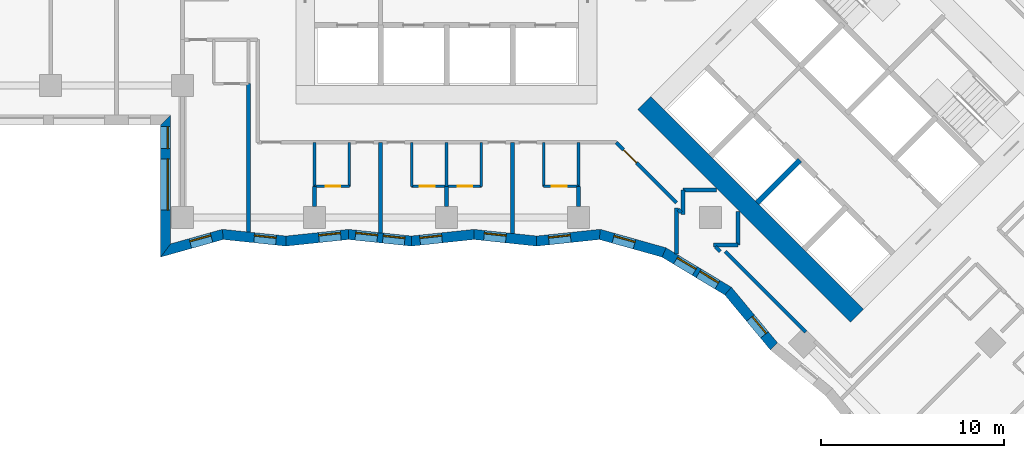
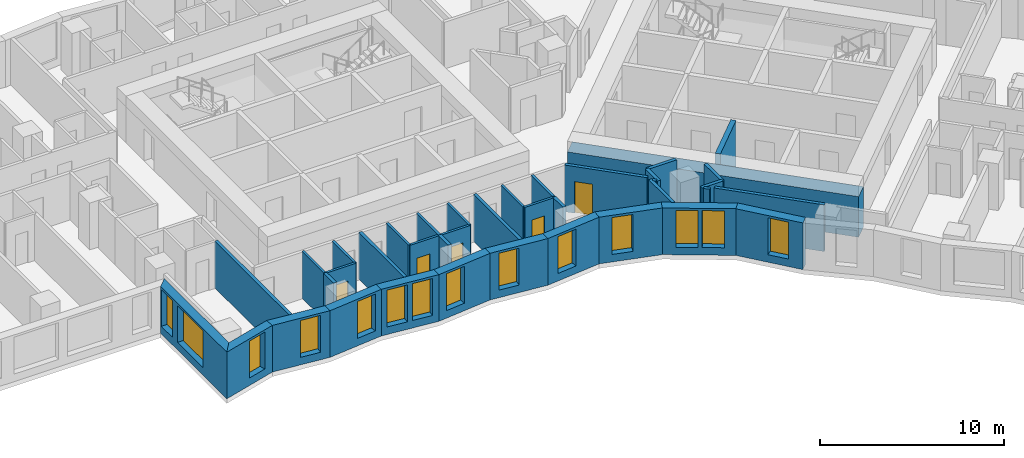
# One storey, part 2 of 13: 38 walls, 14 windows, 5 doors, 19 openings.
"""IFC4 building model written with IfcOpenShell, lengths in metres."""

from ifc_helpers import new_model, si_unit, direction, frame, frame_2d, origin, place, context, subcontext, project, spatial, polyline, rectangle, outline, extrude, material, layer, layer_set, type_object, element, fill, save


model = new_model("IFC4")

# Units and contexts
model_context = context("Model", 3, precision=1e-05, world=origin(), true_north=direction((0.0, 1.0)))
body_context = subcontext(model_context, "Body", "Model", "MODEL_VIEW")
ifc_project = project(units=[si_unit("LENGTHUNIT", "METRE"), si_unit("AREAUNIT", "SQUARE_METRE"), si_unit("VOLUMEUNIT", "CUBIC_METRE"), si_unit("PLANEANGLEUNIT", "RADIAN"), si_unit("MASSUNIT", "GRAM", prefix="KILO")], contexts=[model_context])

# Site, building, storey
site_placement = place(None, origin())
site = spatial("IfcSite", under=ifc_project, at=site_placement, CompositionType="ELEMENT")
building_placement = place(site_placement, origin())
building = spatial("IfcBuilding", under=site, at=building_placement, Name="Windrow Commons", CompositionType="ELEMENT")
storey_placement = place(building_placement, frame((0.0, 0.0, 33.8)))
storey = spatial("IfcBuildingStorey", under=building, at=storey_placement, Name="L08", CompositionType="ELEMENT", Elevation=33.8)

# Wall, openings, windows
ifc_material_1 = material(Name="Brick masonry, red clay brick", Category="masonry")
ifc_layer_1 = layer(ifc_material_1, 0.55)
ifc_layer_set_1 = layer_set([ifc_layer_1], Name="Brick facade wall 550")
wall_type_1 = type_object("IfcWallType", Name="Brick facade wall 550", PredefinedType="SOLIDWALL", material=ifc_layer_set_1)
wall_1_placement = place(storey_placement, frame((49.475, 48.514, 0.0), z_axis=(0.0, 0.0, 1.0), x_axis=(0.0, -1.0, 0.0)))
wall_1 = element("IfcWall", 1, at=wall_1_placement, inside=storey, type_object=wall_type_1, Name="Brick facade wall L08 45", PredefinedType="SOLIDWALL", context=body_context, shape_type="SweptSolid", body=[
    extrude(outline(polyline([(0.275, -0.275), (7.475, -0.275), (6.7491, 0.275), (-0.275, 0.275), (0.275, -0.275)])), origin(), (0.0, 0.0, 1.0), 3.1),
])
opening_1_placement = place(wall_1_placement, frame((2.114, 0.0, 0.5)))
opening_1 = element("IfcOpeningElement", 2, at=opening_1_placement, cuts=wall_1, Name="Opening W1T", PredefinedType="OPENING", context=body_context, shape_type="SweptSolid", body=[
    extrude(rectangle(XDim=2.8, YDim=2.45, at=frame_2d((1.4, 1.225))), frame((0.0, 0.285, 0.0), z_axis=(0.0, -1.0, 0.0), x_axis=(1.0, 0.0, 0.0)), (0.0, 0.0, 1.0), 0.57),
])
opening_2_placement = place(wall_1_placement, frame((0.357, 0.0, 0.5)))
opening_2 = element("IfcOpeningElement", 3, at=opening_2_placement, cuts=wall_1, Name="Opening W7D", PredefinedType="OPENING", context=body_context, shape_type="SweptSolid", body=[
    extrude(rectangle(XDim=1.2, YDim=2.45, at=frame_2d((0.6, 1.225))), frame((0.0, 0.285, 0.0), z_axis=(0.0, -1.0, 0.0), x_axis=(1.0, 0.0, 0.0)), (0.0, 0.0, 1.0), 0.57),
])
ifc_material_2 = material(Name="Clear float glass in anodised aluminium frame", Category="aluminium")
window_type_1 = type_object("IfcWindowType", Name="Window W1T bedroom 2800x2450", PartitioningType="SINGLE_PANEL", PredefinedType="WINDOW", material=ifc_material_2)
window_1_placement = place(opening_1_placement, origin())
window_1 = element("IfcWindow", 4, at=window_1_placement, inside=storey, type_object=window_type_1, Name="Window L08 45.1", OverallHeight=2.45, OverallWidth=2.8, PartitioningType="SINGLE_PANEL", PredefinedType="WINDOW", context=body_context, shape_type="SweptSolid", body=[
    extrude(rectangle(XDim=2.8, YDim=2.45, at=frame_2d((1.4, 1.225))), frame((0.0, 0.155, 0.0), z_axis=(0.0, -1.0, 0.0), x_axis=(1.0, 0.0, 0.0)), (0.0, 0.0, 1.0), 0.06),
])
fill(opening_1, window_1)
ifc_material_3 = material(Name="Clear float glass in anodised aluminium frame", Category="aluminium")
window_type_2 = type_object("IfcWindowType", Name="Window W7 notch 1200x2450", PartitioningType="SINGLE_PANEL", PredefinedType="WINDOW", material=ifc_material_3)
window_2_placement = place(opening_2_placement, origin())
window_2 = element("IfcWindow", 5, at=window_2_placement, inside=storey, type_object=window_type_2, Name="Window L08 45.2", OverallHeight=2.45, OverallWidth=1.2, PartitioningType="SINGLE_PANEL", PredefinedType="WINDOW", context=body_context, shape_type="SweptSolid", body=[
    extrude(rectangle(XDim=1.2, YDim=2.45, at=frame_2d((0.6, 1.225))), frame((0.0, 0.155, 0.0), z_axis=(0.0, -1.0, 0.0), x_axis=(1.0, 0.0, 0.0)), (0.0, 0.0, 1.0), 0.06),
])
fill(opening_2, window_2)

# Wall, opening, window
wall_2_placement = place(storey_placement, frame((49.475, 41.4019, 0.0), z_axis=(0.0, 0.0, 1.0), x_axis=(0.9627079474, 0.2705428024, 0.0)))
wall_2 = element("IfcWall", 6, at=wall_2_placement, inside=storey, type_object=wall_type_1, Name="Brick facade wall L08 46", PredefinedType="SOLIDWALL", context=body_context, shape_type="SweptSolid", body=[
    extrude(outline(polyline([(-0.3629, -0.275), (3.1893, -0.275), (3.2948, 0.275), (0.3629, 0.275), (-0.3629, -0.275)])), origin(), (0.0, 0.0, 1.0), 3.1),
])
opening_3_placement = place(wall_2_placement, frame((1.4014, 0.0, 0.5)))
opening_3 = element("IfcOpeningElement", 7, at=opening_3_placement, cuts=wall_2, Name="Opening W7D", PredefinedType="OPENING", context=body_context, shape_type="SweptSolid", body=[
    extrude(rectangle(XDim=1.2, YDim=2.45, at=frame_2d((0.6, 1.225))), frame((0.0, 0.285, 0.0), z_axis=(0.0, -1.0, 0.0), x_axis=(1.0, 0.0, 0.0)), (0.0, 0.0, 1.0), 0.57),
])
window_3_placement = place(opening_3_placement, origin())
window_3 = element("IfcWindow", 8, at=window_3_placement, inside=storey, type_object=window_type_2, Name="Window L08 46.1", OverallHeight=2.45, OverallWidth=1.2, PartitioningType="SINGLE_PANEL", PredefinedType="WINDOW", context=body_context, shape_type="SweptSolid", body=[
    extrude(rectangle(XDim=1.2, YDim=2.45, at=frame_2d((0.6, 1.225))), frame((0.0, 0.155, 0.0), z_axis=(0.0, -1.0, 0.0), x_axis=(1.0, 0.0, 0.0)), (0.0, 0.0, 1.0), 0.06),
])
fill(opening_3, window_3)

wall_3_placement = place(storey_placement, frame((52.5961, 42.279, 0.0), z_axis=(0.0, 0.0, 1.0), x_axis=(0.9944742336, -0.1049809444, 0.0)))
wall_3 = element("IfcWall", 9, at=wall_3_placement, inside=storey, type_object=wall_type_1, Name="Brick facade wall L08 47", PredefinedType="SOLIDWALL", context=body_context, shape_type="SweptSolid", body=[
    extrude(outline(polyline([(0.0528, -0.275), (3.4915, -0.275), (3.4334, 0.275), (-0.0528, 0.275), (0.0528, -0.275)])), origin(), (0.0, 0.0, 1.0), 3.1),
])
opening_4_placement = place(wall_3_placement, frame((1.7226, 0.0, 0.5)))
opening_4 = element("IfcOpeningElement", 10, at=opening_4_placement, cuts=wall_3, Name="Opening W7D", PredefinedType="OPENING", context=body_context, shape_type="SweptSolid", body=[
    extrude(rectangle(XDim=1.2, YDim=2.45, at=frame_2d((0.6, 1.225))), frame((0.0, 0.285, 0.0), z_axis=(0.0, -1.0, 0.0), x_axis=(1.0, 0.0, 0.0)), (0.0, 0.0, 1.0), 0.57),
])
window_4_placement = place(opening_4_placement, origin())
window_4 = element("IfcWindow", 11, at=window_4_placement, inside=storey, type_object=window_type_2, Name="Window L08 47.1", OverallHeight=2.45, OverallWidth=1.2, PartitioningType="SINGLE_PANEL", PredefinedType="WINDOW", context=body_context, shape_type="SweptSolid", body=[
    extrude(rectangle(XDim=1.2, YDim=2.45, at=frame_2d((0.6, 1.225))), frame((0.0, 0.155, 0.0), z_axis=(0.0, -1.0, 0.0), x_axis=(1.0, 0.0, 0.0)), (0.0, 0.0, 1.0), 0.06),
])
fill(opening_4, window_4)

wall_4_placement = place(storey_placement, frame((56.0395, 41.9155, 0.0), z_axis=(0.0, 0.0, 1.0), x_axis=(0.9944741767, 0.1049814831, 0.0)))
wall_4 = element("IfcWall", 12, at=wall_4_placement, inside=storey, type_object=wall_type_1, Name="Brick facade wall L08 48", PredefinedType="SOLIDWALL", context=body_context, shape_type="SweptSolid", body=[
    extrude(outline(polyline([(-0.029, -0.275), (3.4097, -0.275), (3.4678, 0.275), (0.029, 0.275), (-0.029, -0.275)])), origin(), (0.0, 0.0, 1.0), 3.1),
])
opening_5_placement = place(wall_4_placement, frame((1.804, 0.0, 0.5)))
opening_5 = element("IfcOpeningElement", 13, at=opening_5_placement, cuts=wall_4, Name="Opening W7D", PredefinedType="OPENING", context=body_context, shape_type="SweptSolid", body=[
    extrude(rectangle(XDim=1.2, YDim=2.45, at=frame_2d((0.6, 1.225))), frame((0.0, 0.285, 0.0), z_axis=(0.0, -1.0, 0.0), x_axis=(1.0, 0.0, 0.0)), (0.0, 0.0, 1.0), 0.57),
])
window_5_placement = place(opening_5_placement, origin())
window_5 = element("IfcWindow", 14, at=window_5_placement, inside=storey, type_object=window_type_2, Name="Window L08 48.1", OverallHeight=2.45, OverallWidth=1.2, PartitioningType="SINGLE_PANEL", PredefinedType="WINDOW", context=body_context, shape_type="SweptSolid", body=[
    extrude(rectangle(XDim=1.2, YDim=2.45, at=frame_2d((0.6, 1.225))), frame((0.0, 0.155, 0.0), z_axis=(0.0, -1.0, 0.0), x_axis=(1.0, 0.0, 0.0)), (0.0, 0.0, 1.0), 0.06),
])
fill(opening_5, window_5)

# Wall, openings, windows
wall_5_placement = place(storey_placement, frame((59.4592, 42.2765, 0.0), z_axis=(0.0, 0.0, 1.0), x_axis=(0.9944741767, -0.1049814831, 0.0)))
wall_5 = element("IfcWall", 15, at=wall_5_placement, inside=storey, type_object=wall_type_1, Name="Brick facade wall L08 49", PredefinedType="SOLIDWALL", context=body_context, shape_type="SweptSolid", body=[
    extrude(outline(polyline([(0.029, -0.275), (3.4678, -0.275), (3.4097, 0.275), (-0.029, 0.275), (0.029, -0.275)])), origin(), (0.0, 0.0, 1.0), 3.1),
])
opening_6_placement = place(wall_5_placement, frame((0.3752, 0.0, 0.5)))
opening_6 = element("IfcOpeningElement", 16, at=opening_6_placement, cuts=wall_5, Name="Opening W7D", PredefinedType="OPENING", context=body_context, shape_type="SweptSolid", body=[
    extrude(rectangle(XDim=1.2, YDim=2.45, at=frame_2d((0.6, 1.225))), frame((0.0, 0.285, 0.0), z_axis=(0.0, -1.0, 0.0), x_axis=(1.0, 0.0, 0.0)), (0.0, 0.0, 1.0), 0.57),
])
opening_7_placement = place(wall_5_placement, frame((1.8801, 0.0, 0.5)))
opening_7 = element("IfcOpeningElement", 17, at=opening_7_placement, cuts=wall_5, Name="Opening W7D", PredefinedType="OPENING", context=body_context, shape_type="SweptSolid", body=[
    extrude(rectangle(XDim=1.2, YDim=2.45, at=frame_2d((0.6, 1.225))), frame((0.0, 0.285, 0.0), z_axis=(0.0, -1.0, 0.0), x_axis=(1.0, 0.0, 0.0)), (0.0, 0.0, 1.0), 0.57),
])
window_6_placement = place(opening_6_placement, origin())
window_6 = element("IfcWindow", 18, at=window_6_placement, inside=storey, type_object=window_type_2, Name="Window L08 49.1", OverallHeight=2.45, OverallWidth=1.2, PartitioningType="SINGLE_PANEL", PredefinedType="WINDOW", context=body_context, shape_type="SweptSolid", body=[
    extrude(rectangle(XDim=1.2, YDim=2.45, at=frame_2d((0.6, 1.225))), frame((0.0, 0.155, 0.0), z_axis=(0.0, -1.0, 0.0), x_axis=(1.0, 0.0, 0.0)), (0.0, 0.0, 1.0), 0.06),
])
fill(opening_6, window_6)
window_7_placement = place(opening_7_placement, origin())
window_7 = element("IfcWindow", 19, at=window_7_placement, inside=storey, type_object=window_type_2, Name="Window L08 49.2", OverallHeight=2.45, OverallWidth=1.2, PartitioningType="SINGLE_PANEL", PredefinedType="WINDOW", context=body_context, shape_type="SweptSolid", body=[
    extrude(rectangle(XDim=1.2, YDim=2.45, at=frame_2d((0.6, 1.225))), frame((0.0, 0.155, 0.0), z_axis=(0.0, -1.0, 0.0), x_axis=(1.0, 0.0, 0.0)), (0.0, 0.0, 1.0), 0.06),
])
fill(opening_7, window_7)

# Wall, opening, window
wall_6_placement = place(storey_placement, frame((62.8789, 41.9155, 0.0), z_axis=(0.0, 0.0, 1.0), x_axis=(0.9944744972, 0.1049784471, 0.0)))
wall_6 = element("IfcWall", 20, at=wall_6_placement, inside=storey, type_object=wall_type_1, Name="Brick facade wall L08 50", PredefinedType="SOLIDWALL", context=body_context, shape_type="SweptSolid", body=[
    extrude(outline(polyline([(-0.029, -0.275), (3.4097, -0.275), (3.4678, 0.275), (0.029, 0.275), (-0.029, -0.275)])), origin(), (0.0, 0.0, 1.0), 3.1),
])
opening_8_placement = place(wall_6_placement, frame((0.4804, 0.0, 0.5)))
opening_8 = element("IfcOpeningElement", 21, at=opening_8_placement, cuts=wall_6, Name="Opening W7D", PredefinedType="OPENING", context=body_context, shape_type="SweptSolid", body=[
    extrude(rectangle(XDim=1.2, YDim=2.45, at=frame_2d((0.6, 1.225))), frame((0.0, 0.285, 0.0), z_axis=(0.0, -1.0, 0.0), x_axis=(1.0, 0.0, 0.0)), (0.0, 0.0, 1.0), 0.57),
])
window_8_placement = place(opening_8_placement, origin())
window_8 = element("IfcWindow", 22, at=window_8_placement, inside=storey, type_object=window_type_2, Name="Window L08 50.1", OverallHeight=2.45, OverallWidth=1.2, PartitioningType="SINGLE_PANEL", PredefinedType="WINDOW", context=body_context, shape_type="SweptSolid", body=[
    extrude(rectangle(XDim=1.2, YDim=2.45, at=frame_2d((0.6, 1.225))), frame((0.0, 0.155, 0.0), z_axis=(0.0, -1.0, 0.0), x_axis=(1.0, 0.0, 0.0)), (0.0, 0.0, 1.0), 0.06),
])
fill(opening_8, window_8)

wall_7_placement = place(storey_placement, frame((66.2987, 42.2765, 0.0), z_axis=(0.0, 0.0, 1.0), x_axis=(0.9944741767, -0.1049814831, 0.0)))
wall_7 = element("IfcWall", 23, at=wall_7_placement, inside=storey, type_object=wall_type_1, Name="Brick facade wall L08 51", PredefinedType="SOLIDWALL", context=body_context, shape_type="SweptSolid", body=[
    extrude(outline(polyline([(0.029, -0.275), (3.4678, -0.275), (3.4097, 0.275), (-0.029, 0.275), (0.029, -0.275)])), origin(), (0.0, 0.0, 1.0), 3.1),
])
opening_9_placement = place(wall_7_placement, frame((0.5565, 0.0, 0.5)))
opening_9 = element("IfcOpeningElement", 24, at=opening_9_placement, cuts=wall_7, Name="Opening W7D", PredefinedType="OPENING", context=body_context, shape_type="SweptSolid", body=[
    extrude(rectangle(XDim=1.2, YDim=2.45, at=frame_2d((0.6, 1.225))), frame((0.0, 0.285, 0.0), z_axis=(0.0, -1.0, 0.0), x_axis=(1.0, 0.0, 0.0)), (0.0, 0.0, 1.0), 0.57),
])
window_9_placement = place(opening_9_placement, origin())
window_9 = element("IfcWindow", 25, at=window_9_placement, inside=storey, type_object=window_type_2, Name="Window L08 51.1", OverallHeight=2.45, OverallWidth=1.2, PartitioningType="SINGLE_PANEL", PredefinedType="WINDOW", context=body_context, shape_type="SweptSolid", body=[
    extrude(rectangle(XDim=1.2, YDim=2.45, at=frame_2d((0.6, 1.225))), frame((0.0, 0.155, 0.0), z_axis=(0.0, -1.0, 0.0), x_axis=(1.0, 0.0, 0.0)), (0.0, 0.0, 1.0), 0.06),
])
fill(opening_9, window_9)

wall_8_placement = place(storey_placement, frame((69.7184, 41.9155, 0.0), z_axis=(0.0, 0.0, 1.0), x_axis=(0.9944739153, 0.1049839596, 0.0)))
wall_8 = element("IfcWall", 26, at=wall_8_placement, inside=storey, type_object=wall_type_1, Name="Brick facade wall L08 52", PredefinedType="SOLIDWALL", context=body_context, shape_type="SweptSolid", body=[
    extrude(outline(polyline([(-0.029, -0.275), (3.4097, -0.275), (3.5152, 0.275), (0.029, 0.275), (-0.029, -0.275)])), origin(), (0.0, 0.0, 1.0), 3.1),
])
opening_10_placement = place(wall_8_placement, frame((0.6617, 0.0, 0.5)))
opening_10 = element("IfcOpeningElement", 27, at=opening_10_placement, cuts=wall_8, Name="Opening W7D", PredefinedType="OPENING", context=body_context, shape_type="SweptSolid", body=[
    extrude(rectangle(XDim=1.2, YDim=2.45, at=frame_2d((0.6, 1.225))), frame((0.0, 0.285, 0.0), z_axis=(0.0, -1.0, 0.0), x_axis=(1.0, 0.0, 0.0)), (0.0, 0.0, 1.0), 0.57),
])
window_10_placement = place(opening_10_placement, origin())
window_10 = element("IfcWindow", 28, at=window_10_placement, inside=storey, type_object=window_type_2, Name="Window L08 52.1", OverallHeight=2.45, OverallWidth=1.2, PartitioningType="SINGLE_PANEL", PredefinedType="WINDOW", context=body_context, shape_type="SweptSolid", body=[
    extrude(rectangle(XDim=1.2, YDim=2.45, at=frame_2d((0.6, 1.225))), frame((0.0, 0.155, 0.0), z_axis=(0.0, -1.0, 0.0), x_axis=(1.0, 0.0, 0.0)), (0.0, 0.0, 1.0), 0.06),
])
fill(opening_10, window_10)

wall_9_placement = place(storey_placement, frame((73.1617, 42.279, 0.0), z_axis=(0.0, 0.0, 1.0), x_axis=(0.9627115194, -0.2705300916, 0.0)))
wall_9 = element("IfcWall", 29, at=wall_9_placement, inside=storey, type_object=wall_type_1, Name="Brick facade wall L08 53", PredefinedType="SOLIDWALL", context=body_context, shape_type="SweptSolid", body=[
    extrude(outline(polyline([(0.0528, -0.275), (3.605, -0.275), (3.6792, 0.275), (-0.0528, 0.275), (0.0528, -0.275)])), origin(), (0.0, 0.0, 1.0), 3.1),
])
opening_11_placement = place(wall_9_placement, frame((0.7664, 0.0, 0.5)))
opening_11 = element("IfcOpeningElement", 30, at=opening_11_placement, cuts=wall_9, Name="Opening W7D", PredefinedType="OPENING", context=body_context, shape_type="SweptSolid", body=[
    extrude(rectangle(XDim=1.2, YDim=2.45, at=frame_2d((0.6, 1.225))), frame((0.0, 0.285, 0.0), z_axis=(0.0, -1.0, 0.0), x_axis=(1.0, 0.0, 0.0)), (0.0, 0.0, 1.0), 0.57),
])
window_11_placement = place(opening_11_placement, origin())
window_11 = element("IfcWindow", 31, at=window_11_placement, inside=storey, type_object=window_type_2, Name="Window L08 53.1", OverallHeight=2.45, OverallWidth=1.2, PartitioningType="SINGLE_PANEL", PredefinedType="WINDOW", context=body_context, shape_type="SweptSolid", body=[
    extrude(rectangle(XDim=1.2, YDim=2.45, at=frame_2d((0.6, 1.225))), frame((0.0, 0.155, 0.0), z_axis=(0.0, -1.0, 0.0), x_axis=(1.0, 0.0, 0.0)), (0.0, 0.0, 1.0), 0.06),
])
fill(opening_11, window_11)

# Wall, openings, windows
wall_10_placement = place(storey_placement, frame((76.668, 41.2937, 0.0), z_axis=(0.0, 0.0, 1.0), x_axis=(0.8564375758, -0.5162505968, 0.0)))
wall_10 = element("IfcWall", 32, at=wall_10_placement, inside=storey, type_object=wall_type_1, Name="Brick facade wall L08 54", PredefinedType="SOLIDWALL", context=body_context, shape_type="SweptSolid", body=[
    extrude(outline(polyline([(0.0371, -0.275), (4.032, -0.275), (4.1252, 0.275), (-0.0371, 0.275), (0.0371, -0.275)])), origin(), (0.0, 0.0, 1.0), 3.1),
])
opening_12_placement = place(wall_10_placement, frame((0.7643, 0.0, 0.5)))
opening_12 = element("IfcOpeningElement", 33, at=opening_12_placement, cuts=wall_10, Name="Opening W7D", PredefinedType="OPENING", context=body_context, shape_type="SweptSolid", body=[
    extrude(rectangle(XDim=1.2, YDim=2.45, at=frame_2d((0.6, 1.225))), frame((0.0, 0.285, 0.0), z_axis=(0.0, -1.0, 0.0), x_axis=(1.0, 0.0, 0.0)), (0.0, 0.0, 1.0), 0.57),
])
opening_13_placement = place(wall_10_placement, frame((2.2036, 0.0, 0.5)))
opening_13 = element("IfcOpeningElement", 34, at=opening_13_placement, cuts=wall_10, Name="Opening W7D", PredefinedType="OPENING", context=body_context, shape_type="SweptSolid", body=[
    extrude(rectangle(XDim=1.2, YDim=2.45, at=frame_2d((0.6, 1.225))), frame((0.0, 0.285, 0.0), z_axis=(0.0, -1.0, 0.0), x_axis=(1.0, 0.0, 0.0)), (0.0, 0.0, 1.0), 0.57),
])
window_12_placement = place(opening_12_placement, origin())
window_12 = element("IfcWindow", 35, at=window_12_placement, inside=storey, type_object=window_type_2, Name="Window L08 54.1", OverallHeight=2.45, OverallWidth=1.2, PartitioningType="SINGLE_PANEL", PredefinedType="WINDOW", context=body_context, shape_type="SweptSolid", body=[
    extrude(rectangle(XDim=1.2, YDim=2.45, at=frame_2d((0.6, 1.225))), frame((0.0, 0.155, 0.0), z_axis=(0.0, -1.0, 0.0), x_axis=(1.0, 0.0, 0.0)), (0.0, 0.0, 1.0), 0.06),
])
fill(opening_12, window_12)
window_13_placement = place(opening_13_placement, origin())
window_13 = element("IfcWindow", 36, at=window_13_placement, inside=storey, type_object=window_type_2, Name="Window L08 54.2", OverallHeight=2.45, OverallWidth=1.2, PartitioningType="SINGLE_PANEL", PredefinedType="WINDOW", context=body_context, shape_type="SweptSolid", body=[
    extrude(rectangle(XDim=1.2, YDim=2.45, at=frame_2d((0.6, 1.225))), frame((0.0, 0.155, 0.0), z_axis=(0.0, -1.0, 0.0), x_axis=(1.0, 0.0, 0.0)), (0.0, 0.0, 1.0), 0.06),
])
fill(opening_13, window_13)

# Wall, opening, window
wall_11_placement = place(storey_placement, frame((80.1611, 39.1881, 0.0), z_axis=(0.0, 0.0, 1.0), x_axis=(0.6385248375, -0.7696012161, 0.0)))
wall_11 = element("IfcWall", 37, at=wall_11_placement, inside=storey, type_object=wall_type_1, Name="Brick facade wall L08 55", PredefinedType="SOLIDWALL", context=body_context, shape_type="SweptSolid", body=[
    extrude(outline(polyline([(0.0466, -0.275), (3.9409, -0.275), (3.8897, 0.275), (-0.0466, 0.275), (0.0466, -0.275)])), origin(), (0.0, 0.0, 1.0), 3.1),
])
opening_14_placement = place(wall_11_placement, frame((1.9072, 0.0, 0.5)))
opening_14 = element("IfcOpeningElement", 38, at=opening_14_placement, cuts=wall_11, Name="Opening W7D", PredefinedType="OPENING", context=body_context, shape_type="SweptSolid", body=[
    extrude(rectangle(XDim=1.2, YDim=2.45, at=frame_2d((0.6, 1.225))), frame((0.0, 0.285, 0.0), z_axis=(0.0, -1.0, 0.0), x_axis=(1.0, 0.0, 0.0)), (0.0, 0.0, 1.0), 0.57),
])
window_14_placement = place(opening_14_placement, origin())
window_14 = element("IfcWindow", 39, at=window_14_placement, inside=storey, type_object=window_type_2, Name="Window L08 55.1", OverallHeight=2.45, OverallWidth=1.2, PartitioningType="SINGLE_PANEL", PredefinedType="WINDOW", context=body_context, shape_type="SweptSolid", body=[
    extrude(rectangle(XDim=1.2, YDim=2.45, at=frame_2d((0.6, 1.225))), frame((0.0, 0.155, 0.0), z_axis=(0.0, -1.0, 0.0), x_axis=(1.0, 0.0, 0.0)), (0.0, 0.0, 1.0), 0.06),
])
fill(opening_14, window_14)

# Wall
ifc_material_4 = material(Name="Blockwork partition", Category="masonry")
ifc_layer_2 = layer(ifc_material_4, 0.2)
ifc_layer_set_2 = layer_set([ifc_layer_2], Name="IW-CORRIDOR-200")
wall_type_2 = type_object("IfcWallType", Name="IW-CORRIDOR-200", PredefinedType="PARTITIONING", material=ifc_layer_set_2)
wall_12_placement = place(storey_placement, frame((80.0068, 41.3468, 0.0), z_axis=(0.0, 0.0, 1.0), x_axis=(0.7071067812, -0.7071067812, 0.0)))
element("IfcWall", 40, at=wall_12_placement, inside=storey, type_object=wall_type_2, Name="W-L08-W027", PredefinedType="PARTITIONING", context=body_context, shape_type="SweptSolid", body=[
    extrude(rectangle(XDim=6.2056, YDim=0.2, at=frame_2d((3.1028, 0.0))), origin(), (0.0, 0.0, 1.0), 3.1),
])

# Wall, opening, door
wall_13_placement = place(storey_placement, frame((74.0568, 47.2968, 0.0), z_axis=(0.0, 0.0, 1.0), x_axis=(0.7071067812, -0.7071067812, 0.0)))
wall_13 = element("IfcWall", 41, at=wall_13_placement, inside=storey, type_object=wall_type_2, Name="W-L08-W055", PredefinedType="PARTITIONING", context=body_context, shape_type="SweptSolid", body=[
    extrude(rectangle(XDim=4.6528, YDim=0.2, at=frame_2d((2.3264, 0.0))), origin(), (0.0, 0.0, 1.0), 3.1),
])
opening_15_placement = place(wall_13_placement, frame((0.5704, 0.0, 0.0)))
opening_15 = element("IfcOpeningElement", 42, at=opening_15_placement, cuts=wall_13, Name="Opening D310F", PredefinedType="OPENING", context=body_context, shape_type="SweptSolid", body=[
    extrude(rectangle(XDim=1.0, YDim=2.1, at=frame_2d((0.5, 1.05))), frame((0.0, 0.11, 0.0), z_axis=(0.0, -1.0, 0.0), x_axis=(1.0, 0.0, 0.0)), (0.0, 0.0, 1.0), 0.22),
])
ifc_material_5 = material(Name="Timber door leaf", Category="wood")
door_type_1 = type_object("IfcDoorType", Name="DT-AMENITY-1000", OperationType="SINGLE_SWING_LEFT", PredefinedType="DOOR", material=ifc_material_5)
door_1_placement = place(opening_15_placement, origin())
door_1 = element("IfcDoor", 43, at=door_1_placement, inside=storey, type_object=door_type_1, Name="D-L08-D047", OperationType="SINGLE_SWING_LEFT", OverallHeight=2.1, OverallWidth=1.0, PredefinedType="DOOR", context=body_context, shape_type="SweptSolid", body=[
    extrude(rectangle(XDim=1.0, YDim=2.1, at=frame_2d((0.5, 1.05))), frame((0.0, 0.025, 0.0), z_axis=(0.0, -1.0, 0.0), x_axis=(1.0, 0.0, 0.0)), (0.0, 0.0, 1.0), 0.05),
])
fill(opening_15, door_1)

# Walls
for number, where, z_axis, x_axis, name in (
    (44, (77.702, 44.7, 0.0), (0.0, 0.0, 1.0), (1.0, 0.0, 0.0), "W-L08-W157"),
    (45, (80.7, 41.702, 0.0), (0.0, 0.0, 1.0), (0.0, 1.0, 0.0), "W-L08-W158"),
):
    element("IfcWall", number, at=place(storey_placement, frame(where, z_axis=z_axis, x_axis=x_axis)), inside=storey, type_object=wall_type_2, Name=name, PredefinedType="PARTITIONING", context=body_context, shape_type="SweptSolid", body=[
        extrude(rectangle(XDim=1.814, YDim=0.2, at=frame_2d((0.907, 0.0))), origin(), (0.0, 0.0, 1.0), 3.1),
    ])
for number, where, z_axis, x_axis, name in (
    (46, (77.7, 43.378, 0.0), (0.0, 0.0, 1.0), (0.0, 1.0, 0.0), "W-L08-W174"),
    (47, (79.378, 41.7, 0.0), (0.0, 0.0, 1.0), (1.0, 0.0, 0.0), "W-L08-W175"),
):
    element("IfcWall", number, at=place(storey_placement, frame(where, z_axis=z_axis, x_axis=x_axis)), inside=storey, type_object=wall_type_2, Name=name, PredefinedType="PARTITIONING", context=body_context, shape_type="SweptSolid", body=[
        extrude(rectangle(XDim=1.322, YDim=0.2, at=frame_2d((0.661, 0.0))), origin(), (0.0, 0.0, 1.0), 3.1),
    ])
wall_14_placement = place(storey_placement, frame((77.4454, 43.6396, 0.0), z_axis=(0.0, 0.0, 1.0), x_axis=(0.7071067812, -0.7071067812, 0.0)))
element("IfcWall", 48, at=wall_14_placement, inside=storey, type_object=wall_type_2, Name="W-L08-W209", PredefinedType="PARTITIONING", context=body_context, shape_type="SweptSolid", body=[
    extrude(rectangle(XDim=0.225, YDim=0.2, at=frame_2d((0.1125, 0.0))), origin(), (0.0, 0.0, 1.0), 3.1),
])
wall_15_placement = place(storey_placement, frame((79.4805, 41.6045, 0.0), z_axis=(0.0, 0.0, 1.0), x_axis=(0.7071067812, -0.7071067812, 0.0)))
element("IfcWall", 49, at=wall_15_placement, inside=storey, type_object=wall_type_2, Name="W-L08-W210", PredefinedType="PARTITIONING", context=body_context, shape_type="SweptSolid", body=[
    extrude(rectangle(XDim=0.355, YDim=0.2, at=frame_2d((0.1775, 0.0))), origin(), (0.0, 0.0, 1.0), 3.1),
])

# Wall, openings, doors
ifc_material_6 = material(Name="Blockwork partition", Category="masonry")
ifc_layer_3 = layer(ifc_material_6, 0.15)
ifc_layer_set_3 = layer_set([ifc_layer_3], Name="IW-ENSUITE-150")
wall_type_3 = type_object("IfcWallType", Name="IW-ENSUITE-150", PredefinedType="PARTITIONING", material=ifc_layer_set_3)
wall_16_placement = place(storey_placement, frame((62.9, 44.9, 0.0), z_axis=(0.0, 0.0, 1.0), x_axis=(1.0, 0.0, 0.0)))
wall_16 = element("IfcWall", 50, at=wall_16_placement, inside=storey, type_object=wall_type_3, Name="W-L08-W061", PredefinedType="PARTITIONING", context=body_context, shape_type="SweptSolid", body=[
    extrude(rectangle(XDim=3.8, YDim=0.15, at=frame_2d((1.9, 0.0))), origin(), (0.0, 0.0, 1.0), 3.1),
])
opening_16_placement = place(wall_16_placement, frame((0.4476, 0.0, 0.0)))
opening_16 = element("IfcOpeningElement", 51, at=opening_16_placement, cuts=wall_16, Name="Opening D208N", PredefinedType="OPENING", context=body_context, shape_type="SweptSolid", body=[
    extrude(rectangle(XDim=0.8, YDim=2.1, at=frame_2d((0.4, 1.05))), frame((0.0, 0.085, 0.0), z_axis=(0.0, -1.0, 0.0), x_axis=(1.0, 0.0, 0.0)), (0.0, 0.0, 1.0), 0.17),
])
opening_17_placement = place(wall_16_placement, frame((2.5069, 0.0, 0.0)))
opening_17 = element("IfcOpeningElement", 52, at=opening_17_placement, cuts=wall_16, Name="Opening D208N", PredefinedType="OPENING", context=body_context, shape_type="SweptSolid", body=[
    extrude(rectangle(XDim=0.8, YDim=2.1, at=frame_2d((0.4, 1.05))), frame((0.0, 0.085, 0.0), z_axis=(0.0, -1.0, 0.0), x_axis=(1.0, 0.0, 0.0)), (0.0, 0.0, 1.0), 0.17),
])
ifc_material_7 = material(Name="Timber door leaf", Category="wood")
door_type_2 = type_object("IfcDoorType", Name="DT-ENSUITE-800", OperationType="SINGLE_SWING_LEFT", PredefinedType="DOOR", material=ifc_material_7)
door_2_placement = place(opening_16_placement, origin())
door_2 = element("IfcDoor", 53, at=door_2_placement, inside=storey, type_object=door_type_2, Name="D-L08-D042", OperationType="SINGLE_SWING_RIGHT", OverallHeight=2.1, OverallWidth=0.8, PredefinedType="DOOR", context=body_context, shape_type="SweptSolid", body=[
    extrude(rectangle(XDim=0.8, YDim=2.1, at=frame_2d((0.4, 1.05))), frame((0.0, 0.025, 0.0), z_axis=(0.0, -1.0, 0.0), x_axis=(1.0, 0.0, 0.0)), (0.0, 0.0, 1.0), 0.05),
])
fill(opening_16, door_2)
door_3_placement = place(opening_17_placement, origin())
door_3 = element("IfcDoor", 54, at=door_3_placement, inside=storey, type_object=door_type_2, Name="D-L08-D044", OperationType="SINGLE_SWING_RIGHT", OverallHeight=2.1, OverallWidth=0.8, PredefinedType="DOOR", context=body_context, shape_type="SweptSolid", body=[
    extrude(rectangle(XDim=0.8, YDim=2.1, at=frame_2d((0.4, 1.05))), frame((0.0, 0.025, 0.0), z_axis=(0.0, -1.0, 0.0), x_axis=(1.0, 0.0, 0.0)), (0.0, 0.0, 1.0), 0.05),
])
fill(opening_17, door_3)

# Walls
for number, where, z_axis, x_axis, name in (
    (55, (59.5, 44.9, 0.0), (0.0, 0.0, 1.0), (0.0, 1.0, 0.0), "W-L08-W101"),
    (56, (57.6, 44.9, 0.0), (0.0, 0.0, 1.0), (0.0, 1.0, 0.0), "W-L08-W102"),
    (57, (62.9, 44.9, 0.0), (0.0, 0.0, 1.0), (0.0, 1.0, 0.0), "W-L08-W103"),
    (58, (66.7, 44.9, 0.0), (0.0, 0.0, 1.0), (0.0, 1.0, 0.0), "W-L08-W104"),
    (59, (64.8, 44.9, 0.0), (0.0, 0.0, 1.0), (0.0, 1.0, 0.0), "W-L08-W105"),
    (60, (70.1, 44.9, 0.0), (0.0, 0.0, 1.0), (0.0, 1.0, 0.0), "W-L08-W106"),
    (61, (72.0, 44.9, 0.0), (0.0, 0.0, 1.0), (0.0, 1.0, 0.0), "W-L08-W107"),
):
    element("IfcWall", number, at=place(storey_placement, frame(where, z_axis=z_axis, x_axis=x_axis)), inside=storey, type_object=wall_type_3, Name=name, PredefinedType="PARTITIONING", context=body_context, shape_type="SweptSolid", body=[
        extrude(rectangle(XDim=2.4, YDim=0.15, at=frame_2d((1.2, 0.0))), origin(), (0.0, 0.0, 1.0), 3.1),
    ])

# Wall, opening, door
wall_17_placement = place(storey_placement, frame((70.1, 44.9, 0.0), z_axis=(0.0, 0.0, 1.0), x_axis=(1.0, 0.0, 0.0)))
wall_17 = element("IfcWall", 62, at=wall_17_placement, inside=storey, type_object=wall_type_3, Name="W-L08-W143", PredefinedType="PARTITIONING", context=body_context, shape_type="SweptSolid", body=[
    extrude(rectangle(XDim=1.9, YDim=0.15, at=frame_2d((0.95, 0.0))), origin(), (0.0, 0.0, 1.0), 3.1),
])
opening_18_placement = place(wall_17_placement, frame((0.4476, 0.0, 0.0)))
opening_18 = element("IfcOpeningElement", 63, at=opening_18_placement, cuts=wall_17, Name="Opening D208N", PredefinedType="OPENING", context=body_context, shape_type="SweptSolid", body=[
    extrude(rectangle(XDim=0.8, YDim=2.1, at=frame_2d((0.4, 1.05))), frame((0.0, 0.085, 0.0), z_axis=(0.0, -1.0, 0.0), x_axis=(1.0, 0.0, 0.0)), (0.0, 0.0, 1.0), 0.17),
])
door_4_placement = place(opening_18_placement, origin())
door_4 = element("IfcDoor", 64, at=door_4_placement, inside=storey, type_object=door_type_2, Name="D-L08-D046", OperationType="SINGLE_SWING_RIGHT", OverallHeight=2.1, OverallWidth=0.8, PredefinedType="DOOR", context=body_context, shape_type="SweptSolid", body=[
    extrude(rectangle(XDim=0.8, YDim=2.1, at=frame_2d((0.4, 1.05))), frame((0.0, 0.025, 0.0), z_axis=(0.0, -1.0, 0.0), x_axis=(1.0, 0.0, 0.0)), (0.0, 0.0, 1.0), 0.05),
])
fill(opening_18, door_4)

wall_18_placement = place(storey_placement, frame((57.6, 44.9, 0.0), z_axis=(0.0, 0.0, 1.0), x_axis=(1.0, 0.0, 0.0)))
wall_18 = element("IfcWall", 65, at=wall_18_placement, inside=storey, type_object=wall_type_3, Name="W-L08-W153", PredefinedType="PARTITIONING", context=body_context, shape_type="SweptSolid", body=[
    extrude(rectangle(XDim=1.9, YDim=0.15, at=frame_2d((0.95, 0.0))), origin(), (0.0, 0.0, 1.0), 3.1),
])
opening_19_placement = place(wall_18_placement, frame((0.6069, 0.0, 0.0)))
opening_19 = element("IfcOpeningElement", 66, at=opening_19_placement, cuts=wall_18, Name="Opening D208N", PredefinedType="OPENING", context=body_context, shape_type="SweptSolid", body=[
    extrude(rectangle(XDim=0.8, YDim=2.1, at=frame_2d((0.4, 1.05))), frame((0.0, 0.085, 0.0), z_axis=(0.0, -1.0, 0.0), x_axis=(1.0, 0.0, 0.0)), (0.0, 0.0, 1.0), 0.17),
])
door_5_placement = place(opening_19_placement, origin())
door_5 = element("IfcDoor", 67, at=door_5_placement, inside=storey, type_object=door_type_2, Name="D-L08-D040", OperationType="SINGLE_SWING_RIGHT", OverallHeight=2.1, OverallWidth=0.8, PredefinedType="DOOR", context=body_context, shape_type="SweptSolid", body=[
    extrude(rectangle(XDim=0.8, YDim=2.1, at=frame_2d((0.4, 1.05))), frame((0.0, 0.025, 0.0), z_axis=(0.0, -1.0, 0.0), x_axis=(1.0, 0.0, 0.0)), (0.0, 0.0, 1.0), 0.05),
])
fill(opening_19, door_5)

# Walls
ifc_material_8 = material(Name="Blockwork partition", Category="masonry")
ifc_layer_4 = layer(ifc_material_8, 0.2)
ifc_layer_set_4 = layer_set([ifc_layer_4], Name="IW-PARTY-200")
wall_type_4 = type_object("IfcWallType", Name="IW-PARTY-200", PredefinedType="PARTITIONING", material=ifc_layer_set_4)
wall_19_placement = place(storey_placement, frame((54.0, 42.4073, 0.0), z_axis=(0.0, 0.0, 1.0), x_axis=(0.0, 1.0, 0.0)))
element("IfcWall", 68, at=wall_19_placement, inside=storey, type_object=wall_type_4, Name="W-L08-W015", PredefinedType="PARTITIONING", context=body_context, shape_type="SweptSolid", body=[
    extrude(rectangle(XDim=8.0927, YDim=0.2, at=frame_2d((4.0464, 0.0))), origin(), (0.0, 0.0, 1.0), 3.1),
])
wall_20_placement = place(storey_placement, frame((68.4, 42.3312, 0.0), z_axis=(0.0, 0.0, 1.0), x_axis=(0.0, 1.0, 0.0)))
element("IfcWall", 69, at=wall_20_placement, inside=storey, type_object=wall_type_4, Name="W-L08-W049", PredefinedType="PARTITIONING", context=body_context, shape_type="SweptSolid", body=[
    extrude(rectangle(XDim=4.9688, YDim=0.2, at=frame_2d((2.4844, 0.0))), origin(), (0.0, 0.0, 1.0), 3.1),
])
wall_21_placement = place(storey_placement, frame((61.2, 42.3693, 0.0), z_axis=(0.0, 0.0, 1.0), x_axis=(0.0, 1.0, 0.0)))
element("IfcWall", 70, at=wall_21_placement, inside=storey, type_object=wall_type_4, Name="W-L08-W050", PredefinedType="PARTITIONING", context=body_context, shape_type="SweptSolid", body=[
    extrude(rectangle(XDim=4.9307, YDim=0.2, at=frame_2d((2.4653, 0.0))), origin(), (0.0, 0.0, 1.0), 3.1),
])
wall_22_placement = place(storey_placement, frame((77.35, 41.2037, 0.0), z_axis=(0.0, 0.0, 1.0), x_axis=(0.0, 1.0, 0.0)))
element("IfcWall", 71, at=wall_22_placement, inside=storey, type_object=wall_type_4, Name="W-L08-W077", PredefinedType="PARTITIONING", context=body_context, shape_type="SweptSolid", body=[
    extrude(rectangle(XDim=2.5243, YDim=0.2, at=frame_2d((1.2622, 0.0))), origin(), (0.0, 0.0, 1.0), 3.1),
])
for number, where, z_axis, x_axis, name in (
    (72, (57.6, 43.8, 0.0), (0.0, 0.0, 1.0), (0.0, 1.0, 0.0), "W-L08-W184"),
    (73, (64.8, 43.8, 0.0), (0.0, 0.0, 1.0), (0.0, 1.0, 0.0), "W-L08-W185"),
    (74, (72.0, 43.8, 0.0), (0.0, 0.0, 1.0), (0.0, 1.0, 0.0), "W-L08-W186"),
):
    element("IfcWall", number, at=place(storey_placement, frame(where, z_axis=z_axis, x_axis=x_axis)), inside=storey, type_object=wall_type_4, Name=name, PredefinedType="PARTITIONING", context=body_context, shape_type="SweptSolid", body=[
        extrude(rectangle(XDim=1.1, YDim=0.2, at=frame_2d((0.55, 0.0))), origin(), (0.0, 0.0, 1.0), 3.1),
    ])
ifc_material_9 = material(Name="Concrete C60/75", Category="concrete")
ifc_layer_5 = layer(ifc_material_9, 1.0)
ifc_layer_set_5 = layer_set([ifc_layer_5], Name="RC CORE WALL 1000 C60/75")
wall_type_5 = type_object("IfcWallType", Name="RC CORE WALL 1000 C60/75", PredefinedType="SHEAR", material=ifc_layer_set_5)
wall_23_placement = place(storey_placement, frame((75.5938, 49.4433, -0.3), z_axis=(0.0, 0.0, 1.0), x_axis=(0.7071037324, -0.70710983, 0.0)))
element("IfcWall", 75, at=wall_23_placement, inside=storey, type_object=wall_type_5, Name="Core B wall outer-S", PredefinedType="SHEAR", context=body_context, shape_type="SweptSolid", body=[
    extrude(rectangle(XDim=16.4, YDim=1.0, at=frame_2d((8.2, 0.0))), origin(), (0.0, 0.0, 1.0), 2.7),
])
ifc_material_10 = material(Name="Concrete C60/75", Category="concrete")
ifc_layer_6 = layer(ifc_material_10, 0.3)
ifc_layer_set_6 = layer_set([ifc_layer_6], Name="RC SHAFT WALL 300 C60/75")
wall_type_6 = type_object("IfcWallType", Name="RC SHAFT WALL 300 C60/75", PredefinedType="SOLIDWALL", material=ifc_layer_set_6)
wall_24_placement = place(storey_placement, frame((81.7456, 43.9986, 0.0), z_axis=(0.0, 0.0, 1.0), x_axis=(0.7071067812, 0.7071067812, 0.0)))
element("IfcWall", 76, at=wall_24_placement, inside=storey, type_object=wall_type_6, Name="Core B wall shaft-S2", PredefinedType="SOLIDWALL", context=body_context, shape_type="SweptSolid", body=[
    extrude(rectangle(XDim=3.2999, YDim=0.3, at=frame_2d((1.65, 0.0))), origin(), (0.0, 0.0, 1.0), 3.1),
])

save(model, "model.ifc")
